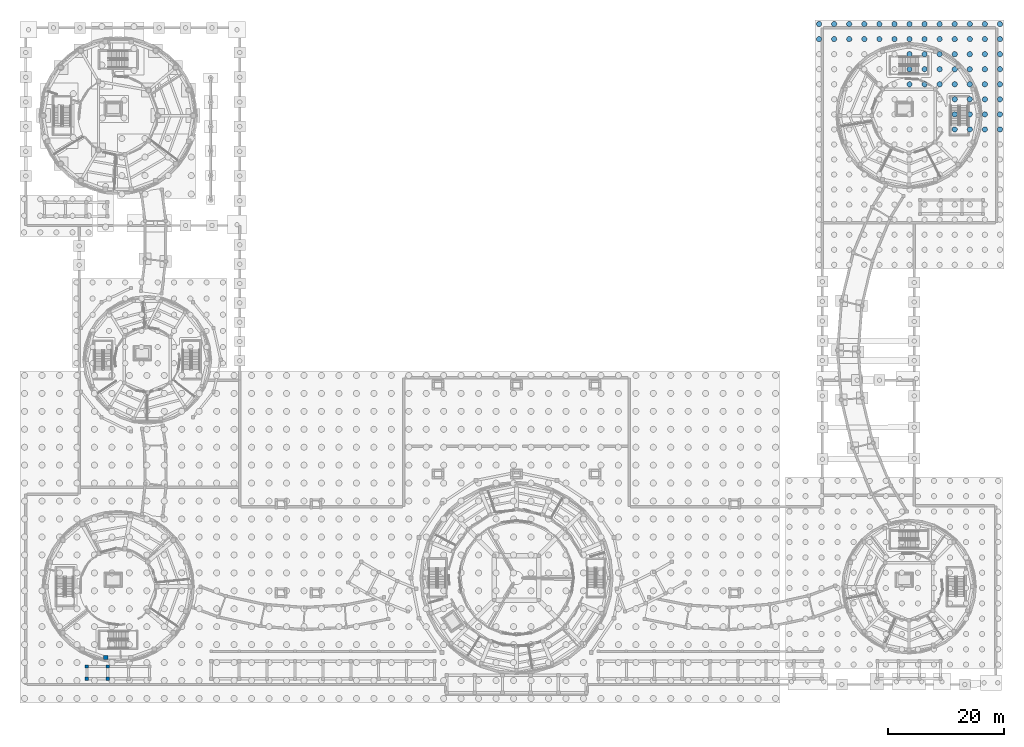
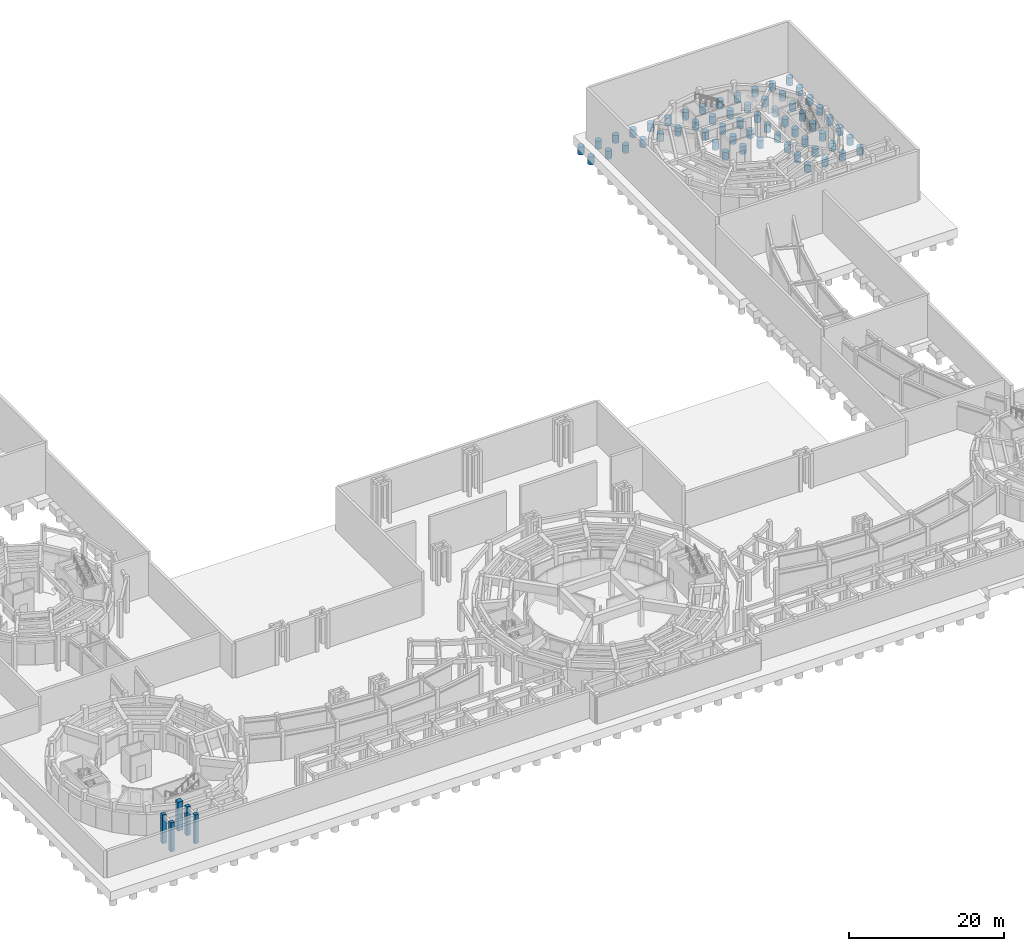
# One storey, part 8 of 57: 59 piles, 5 columns.
"""IFC4 building model written with IfcOpenShell, lengths in metres."""

from ifc_helpers import new_model, si_unit, direction, frame, origin, origin_2d, place, context, subcontext, project, spatial, rectangle, circle, extrude, material, material_profile, profile_set, type_object, element, save


model = new_model("IFC4")

# Units and contexts
model_context = context("Model", 3, precision=1e-05, world=origin(), true_north=direction((0.0, 1.0)))
body_context = subcontext(model_context, "Body", "Model", "MODEL_VIEW")
ifc_project = project(units=[si_unit("LENGTHUNIT", "METRE"), si_unit("AREAUNIT", "SQUARE_METRE"), si_unit("VOLUMEUNIT", "CUBIC_METRE"), si_unit("PLANEANGLEUNIT", "RADIAN"), si_unit("MASSUNIT", "GRAM", prefix="KILO")], contexts=[model_context])

# Site, building, storey
site_placement = place(None, origin())
site = spatial("IfcSite", under=ifc_project, at=site_placement, CompositionType="ELEMENT")
building_placement = place(site_placement, origin())
building = spatial("IfcBuilding", under=site, at=building_placement, Name="Aldenvaro Health Centre", CompositionType="ELEMENT")
storey_placement = place(building_placement, frame((0.0, 0.0, -4.550048828125)))
storey = spatial("IfcBuildingStorey", under=building, at=storey_placement, Name="B1", CompositionType="ELEMENT", Elevation=-4.550048828125)

# Piles
ifc_material = material(Name="Concrete f'c 40 MPa", Category="concrete")
ifc_material_profile_1 = material_profile(ifc_material, circle(Radius=0.449951171875, at=origin_2d()), Name="PILE D900", Category="concrete")
ifc_profile_set_1 = profile_set([ifc_material_profile_1], Name="Concrete f'c 40 MPa")
pile_type = type_object("IfcPileType", Name="PILE-D900", PredefinedType="BORED", material=ifc_profile_set_1)
for number, where, z_axis, x_axis, name in (
    (1, (139.032958984375, 112.653076171875, -1.349853515625), (0.0, 0.0, -1.0), (1.0, 0.0, 0.0), "Bored Pile BP-02 #0852"),
    (2, (139.032958984375, 115.239990234375, -1.349853515625), (0.0, 0.0, -1.0), (1.0, 0.0, 0.0), "Bored Pile BP-02 #0853"),
    (3, (141.625, 112.653076171875, -1.349853515625), (0.0, 0.0, -1.0), (1.0, 0.0, 0.0), "Bored Pile BP-02 #0869"),
    (4, (141.625, 115.239990234375, -1.349853515625), (0.0, 0.0, -1.0), (1.0, 0.0, 0.0), "Bored Pile BP-02 #0870"),
    (5, (144.216064453125, 112.653076171875, -1.349853515625), (0.0, 0.0, -1.0), (1.0, 0.0, 0.0), "Bored Pile BP-02 #0886"),
    (6, (144.216064453125, 115.239990234375, -1.349853515625), (0.0, 0.0, -1.0), (1.0, 0.0, 0.0), "Bored Pile BP-02 #0887"),
    (7, (146.80810546875, 112.653076171875, -1.349853515625), (0.0, 0.0, -1.0), (1.0, 0.0, 0.0), "Bored Pile BP-02 #0903"),
    (8, (146.80810546875, 115.239990234375, -1.349853515625), (0.0, 0.0, -1.0), (1.0, 0.0, 0.0), "Bored Pile BP-02 #0904"),
    (9, (149.39990234375, 112.653076171875, -1.349853515625), (0.0, 0.0, -1.0), (1.0, 0.0, 0.0), "Bored Pile BP-02 #0920"),
    (10, (149.39990234375, 115.239990234375, -1.349853515625), (0.0, 0.0, -1.0), (1.0, 0.0, 0.0), "Bored Pile BP-02 #0921"),
    (11, (151.990966796875, 112.653076171875, -1.349853515625), (0.0, 0.0, -1.0), (1.0, 0.0, 0.0), "Bored Pile BP-02 #0937"),
    (12, (151.990966796875, 115.239990234375, -1.349853515625), (0.0, 0.0, -1.0), (1.0, 0.0, 0.0), "Bored Pile BP-02 #0938"),
    (13, (154.5830078125, 104.889892578125, -1.349853515625), (0.0, 0.0, -1.0), (1.0, 0.0, 0.0), "Bored Pile BP-02 #0951"),
    (14, (154.5830078125, 107.47802734375, -1.349853515625), (0.0, 0.0, -1.0), (1.0, 0.0, 0.0), "Bored Pile BP-02 #0952"),
    (15, (154.5830078125, 110.06494140625, -1.349853515625), (0.0, 0.0, -1.0), (1.0, 0.0, 0.0), "Bored Pile BP-02 #0953"),
    (16, (154.5830078125, 112.653076171875, -1.349853515625), (0.0, 0.0, -1.0), (1.0, 0.0, 0.0), "Bored Pile BP-02 #0954"),
    (17, (154.5830078125, 115.239990234375, -1.349853515625), (0.0, 0.0, -1.0), (1.0, 0.0, 0.0), "Bored Pile BP-02 #0955"),
    (18, (157.175048828125, 104.889892578125, -1.349853515625), (0.0, 0.0, -1.0), (1.0, 0.0, 0.0), "Bored Pile BP-02 #0968"),
    (19, (157.175048828125, 107.47802734375, -1.349853515625), (0.0, 0.0, -1.0), (1.0, 0.0, 0.0), "Bored Pile BP-02 #0969"),
    (20, (157.175048828125, 110.06494140625, -1.349853515625), (0.0, 0.0, -1.0), (1.0, 0.0, 0.0), "Bored Pile BP-02 #0970"),
    (21, (157.175048828125, 112.653076171875, -1.349853515625), (0.0, 0.0, -1.0), (1.0, 0.0, 0.0), "Bored Pile BP-02 #0971"),
    (22, (157.175048828125, 115.239990234375, -1.349853515625), (0.0, 0.0, -1.0), (1.0, 0.0, 0.0), "Bored Pile BP-02 #0972"),
    (23, (159.76611328125, 104.889892578125, -1.349853515625), (0.0, 0.0, -1.0), (1.0, 0.0, 0.0), "Bored Pile BP-02 #0985"),
    (24, (159.76611328125, 107.47802734375, -1.349853515625), (0.0, 0.0, -1.0), (1.0, 0.0, 0.0), "Bored Pile BP-02 #0986"),
    (25, (159.76611328125, 110.06494140625, -1.349853515625), (0.0, 0.0, -1.0), (1.0, 0.0, 0.0), "Bored Pile BP-02 #0987"),
    (26, (159.76611328125, 112.653076171875, -1.349853515625), (0.0, 0.0, -1.0), (1.0, 0.0, 0.0), "Bored Pile BP-02 #0988"),
    (27, (159.76611328125, 115.239990234375, -1.349853515625), (0.0, 0.0, -1.0), (1.0, 0.0, 0.0), "Bored Pile BP-02 #0989"),
    (28, (162.35791015625, 97.126953125, -1.349853515625), (0.0, 0.0, -1.0), (1.0, 0.0, 0.0), "Bored Pile BP-02 #0999"),
    (29, (162.35791015625, 99.715087890625, -1.349853515625), (0.0, 0.0, -1.0), (1.0, 0.0, 0.0), "Bored Pile BP-02 #1000"),
    (30, (162.35791015625, 102.302978515625, -1.349853515625), (0.0, 0.0, -1.0), (1.0, 0.0, 0.0), "Bored Pile BP-02 #1001"),
    (31, (162.35791015625, 104.889892578125, -1.349853515625), (0.0, 0.0, -1.0), (1.0, 0.0, 0.0), "Bored Pile BP-02 #1002"),
    (32, (162.35791015625, 107.47802734375, -1.349853515625), (0.0, 0.0, -1.0), (1.0, 0.0, 0.0), "Bored Pile BP-02 #1003"),
    (33, (162.35791015625, 110.06494140625, -1.349853515625), (0.0, 0.0, -1.0), (1.0, 0.0, 0.0), "Bored Pile BP-02 #1004"),
    (34, (162.35791015625, 112.653076171875, -1.349853515625), (0.0, 0.0, -1.0), (1.0, 0.0, 0.0), "Bored Pile BP-02 #1005"),
    (35, (162.35791015625, 115.239990234375, -1.349853515625), (0.0, 0.0, -1.0), (1.0, 0.0, 0.0), "Bored Pile BP-02 #1006"),
    (36, (164.949951171875, 97.126953125, -1.349853515625), (0.0, 0.0, -1.0), (1.0, 0.0, 0.0), "Bored Pile BP-02 #1016"),
    (37, (164.949951171875, 99.715087890625, -1.349853515625), (0.0, 0.0, -1.0), (1.0, 0.0, 0.0), "Bored Pile BP-02 #1017"),
    (38, (164.949951171875, 102.302978515625, -1.349853515625), (0.0, 0.0, -1.0), (1.0, 0.0, 0.0), "Bored Pile BP-02 #1018"),
    (39, (164.949951171875, 104.889892578125, -1.349853515625), (0.0, 0.0, -1.0), (1.0, 0.0, 0.0), "Bored Pile BP-02 #1019"),
    (40, (164.949951171875, 107.47802734375, -1.349853515625), (0.0, 0.0, -1.0), (1.0, 0.0, 0.0), "Bored Pile BP-02 #1020"),
    (41, (164.949951171875, 110.06494140625, -1.349853515625), (0.0, 0.0, -1.0), (1.0, 0.0, 0.0), "Bored Pile BP-02 #1021"),
    (42, (164.949951171875, 112.653076171875, -1.349853515625), (0.0, 0.0, -1.0), (1.0, 0.0, 0.0), "Bored Pile BP-02 #1022"),
    (43, (164.949951171875, 115.239990234375, -1.349853515625), (0.0, 0.0, -1.0), (1.0, 0.0, 0.0), "Bored Pile BP-02 #1023"),
    (44, (167.541015625, 97.126953125, -1.349853515625), (0.0, 0.0, -1.0), (1.0, 0.0, 0.0), "Bored Pile BP-02 #1033"),
    (45, (167.541015625, 99.715087890625, -1.349853515625), (0.0, 0.0, -1.0), (1.0, 0.0, 0.0), "Bored Pile BP-02 #1034"),
    (46, (167.541015625, 102.302978515625, -1.349853515625), (0.0, 0.0, -1.0), (1.0, 0.0, 0.0), "Bored Pile BP-02 #1035"),
    (47, (167.541015625, 104.889892578125, -1.349853515625), (0.0, 0.0, -1.0), (1.0, 0.0, 0.0), "Bored Pile BP-02 #1036"),
    (48, (167.541015625, 107.47802734375, -1.349853515625), (0.0, 0.0, -1.0), (1.0, 0.0, 0.0), "Bored Pile BP-02 #1037"),
    (49, (167.541015625, 110.06494140625, -1.349853515625), (0.0, 0.0, -1.0), (1.0, 0.0, 0.0), "Bored Pile BP-02 #1038"),
    (50, (167.541015625, 112.653076171875, -1.349853515625), (0.0, 0.0, -1.0), (1.0, 0.0, 0.0), "Bored Pile BP-02 #1039"),
    (51, (167.541015625, 115.239990234375, -1.349853515625), (0.0, 0.0, -1.0), (1.0, 0.0, 0.0), "Bored Pile BP-02 #1040"),
    (52, (170.133056640625, 97.126953125, -1.349853515625), (0.0, 0.0, -1.0), (1.0, 0.0, 0.0), "Bored Pile BP-02 #1050"),
    (53, (170.133056640625, 99.715087890625, -1.349853515625), (0.0, 0.0, -1.0), (1.0, 0.0, 0.0), "Bored Pile BP-02 #1051"),
    (54, (170.133056640625, 102.302978515625, -1.349853515625), (0.0, 0.0, -1.0), (1.0, 0.0, 0.0), "Bored Pile BP-02 #1052"),
    (55, (170.133056640625, 104.889892578125, -1.349853515625), (0.0, 0.0, -1.0), (1.0, 0.0, 0.0), "Bored Pile BP-02 #1053"),
    (56, (170.133056640625, 107.47802734375, -1.349853515625), (0.0, 0.0, -1.0), (1.0, 0.0, 0.0), "Bored Pile BP-02 #1054"),
    (57, (170.133056640625, 110.06494140625, -1.349853515625), (0.0, 0.0, -1.0), (1.0, 0.0, 0.0), "Bored Pile BP-02 #1055"),
    (58, (170.133056640625, 112.653076171875, -1.349853515625), (0.0, 0.0, -1.0), (1.0, 0.0, 0.0), "Bored Pile BP-02 #1056"),
    (59, (170.133056640625, 115.239990234375, -1.349853515625), (0.0, 0.0, -1.0), (1.0, 0.0, 0.0), "Bored Pile BP-02 #1057"),
):
    element("IfcPile", number, at=place(storey_placement, frame(where, z_axis=z_axis, x_axis=x_axis)), inside=storey, type_object=pile_type, Name=name, PredefinedType="BORED", context=body_context, shape_type="SweptSolid", body=[
        extrude(circle(Radius=0.449951171875, at=origin_2d()), origin(), (0.0, 0.0, 1.0), 1.25),
    ])

# Columns
ifc_material_profile_2 = material_profile(ifc_material, rectangle(XDim=0.550048828125, YDim=0.550048828125, at=origin_2d()), Name="RC 550x550", Category="concrete")
ifc_profile_set_2 = profile_set([ifc_material_profile_2], Name="Concrete f'c 40 MPa")
column_type_1 = type_object("IfcColumnType", Name="COL-RC-550", PredefinedType="COLUMN", material=ifc_profile_set_2)
for number, where, z_axis, x_axis, name in (
    (60, (13.10009765625, 2.64990234375, 0.0), (0.0, 0.0, 1.0), (1.0, 0.0, 0.0), "Pavilion Portico W5 Substructure Pier 1.1"),
    (61, (13.10009765625, 4.75, 0.0), (0.0, 0.0, 1.0), (1.0, 0.0, 0.0), "Pavilion Portico W5 Substructure Pier 1.2"),
    (62, (16.699951171875, 2.64990234375, 0.0), (0.0, 0.0, 1.0), (1.0, 0.0, 0.0), "Pavilion Portico W5 Substructure Pier 2.1"),
    (63, (16.699951171875, 4.75, 0.0), (0.0, 0.0, 1.0), (1.0, 0.0, 0.0), "Pavilion Portico W5 Substructure Pier 2.2"),
):
    element("IfcColumn", number, at=place(storey_placement, frame(where, z_axis=z_axis, x_axis=x_axis)), inside=storey, type_object=column_type_1, Name=name, PredefinedType="COLUMN", context=body_context, shape_type="SweptSolid", body=[
        extrude(rectangle(XDim=0.550048828125, YDim=0.550048828125, at=origin_2d()), origin(), (0.0, 0.0, 1.0), 4.550048828125),
    ])
ifc_material_profile_3 = material_profile(ifc_material, rectangle(XDim=0.75, YDim=0.75, at=origin_2d()), Name="RC 750x750", Category="concrete")
ifc_profile_set_3 = profile_set([ifc_material_profile_3], Name="Concrete f'c 40 MPa")
column_type_2 = type_object("IfcColumnType", Name="COL-RC-750", PredefinedType="COLUMN", material=ifc_profile_set_3)
column_placement = place(storey_placement, frame((16.35009765625, 6.30810546875, 0.0), z_axis=(0.0, 0.0, 1.0), x_axis=(1.0, 0.0, 0.0)))
element("IfcColumn", 64, at=column_placement, inside=storey, type_object=column_type_2, Name="D5 B1 column OUT-14", PredefinedType="COLUMN", context=body_context, shape_type="SweptSolid", body=[
    extrude(rectangle(XDim=0.75, YDim=0.75, at=origin_2d()), origin(), (0.0, 0.0, 1.0), 4.550048828125),
])

save(model, "model.ifc")
